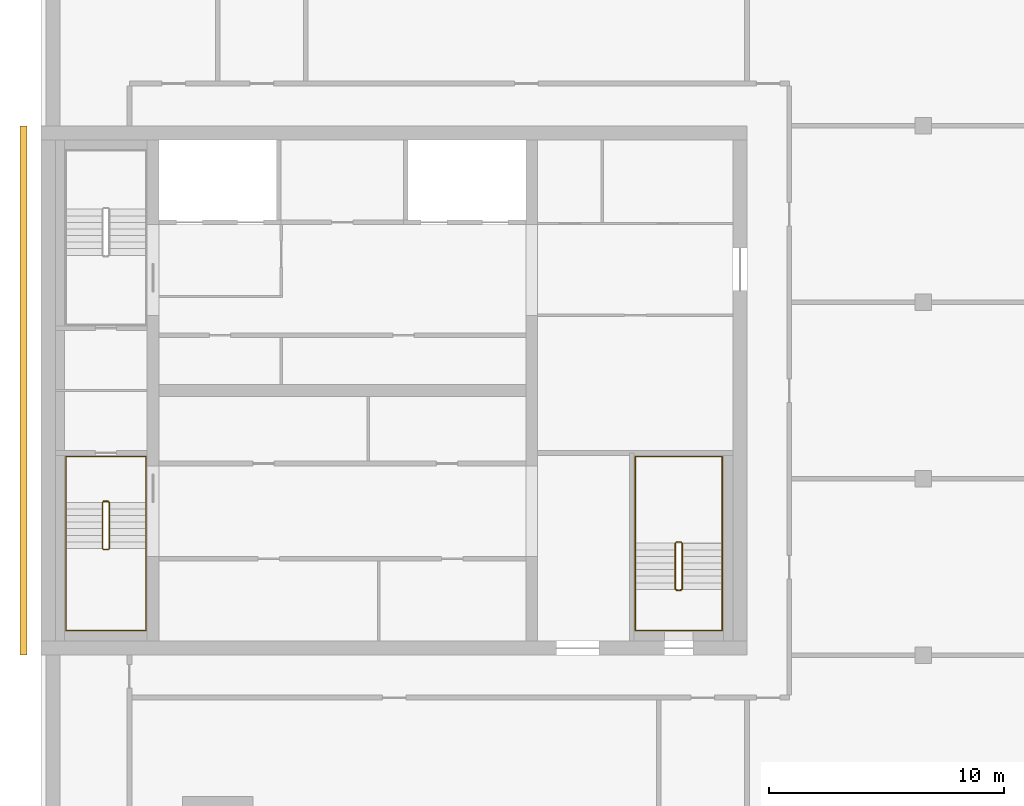
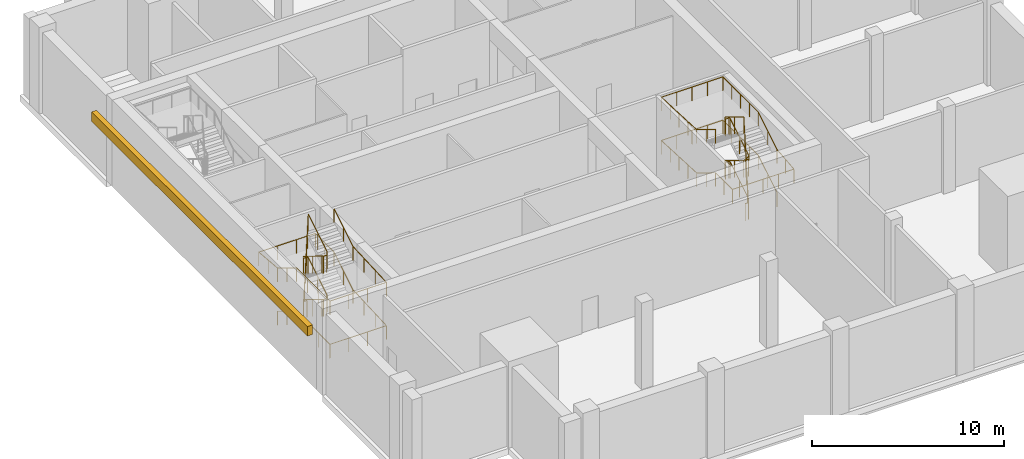
# One storey, part 7 of 8: 4 railings, 1 covering.
"""IFC4 building model written with IfcOpenShell, lengths in metres."""

from ifc_helpers import new_model, si_unit, direction, frame, origin, origin_2d, place, context, subcontext, project, spatial, polyline, circle, outline, extrude, material, layer, layer_set, type_object, element, save


model = new_model("IFC4")

# Units and contexts
model_context = context("Model", 3, precision=1e-05, world=origin(), true_north=direction((0.0, 1.0)))
body_context = subcontext(model_context, "Body", "Model", "MODEL_VIEW")
ifc_project = project(units=[si_unit("LENGTHUNIT", "METRE"), si_unit("AREAUNIT", "SQUARE_METRE"), si_unit("VOLUMEUNIT", "CUBIC_METRE"), si_unit("PLANEANGLEUNIT", "RADIAN"), si_unit("MASSUNIT", "GRAM", prefix="KILO")], contexts=[model_context])

# Site, building, storey
site_placement = place(None, origin())
site = spatial("IfcSite", under=ifc_project, at=site_placement, CompositionType="ELEMENT")
building_placement = place(site_placement, origin())
building = spatial("IfcBuilding", under=site, at=building_placement, Name="Tamorin Gate", CompositionType="ELEMENT")
storey_placement = place(building_placement, frame((0.0, 0.0, 314.699951171875)))
storey = spatial("IfcBuildingStorey", under=building, at=storey_placement, Name="L77", CompositionType="ELEMENT", Elevation=314.699951171875)

# Covering
ifc_material_1 = material(Name="Precast concrete C40/50", Category="concrete")
ifc_layer = layer(ifc_material_1, 0.300048828125)
ifc_layer_set = layer_set([ifc_layer], Name="Spine cornice 300")
covering_type = type_object("IfcCoveringType", Name="Spine cornice 300", PredefinedType="CLADDING", material=ifc_layer_set)
covering_placement = place(storey_placement, frame((0.0, 0.0, 4.10009765625)))
element("IfcCovering", 1, at=covering_placement, inside=storey, type_object=covering_type, Name="Spine cornice", PredefinedType="CLADDING", context=body_context, shape_type="SweptSolid", body=[
    extrude(outline(polyline([(29.10009765625, 60.0), (29.39990234375, 60.0), (29.39990234375, 82.5), (29.10009765625, 82.5), (29.10009765625, 60.0)])), origin(), (0.0, 0.0, 1.0), 0.599853515625),
])

# Railings
ifc_material_2 = material(Name="Painted steel balustrade", Category="steel")
railing_type_1 = type_object("IfcRailingType", Name="Stair guard 1100", PredefinedType="GUARDRAIL", material=ifc_material_2)
railing_1_placement = place(storey_placement, frame((32.60009765625, 66.5, 0.171875)))
element("IfcRailing", 2, at=railing_1_placement, inside=storey, type_object=railing_type_1, Name="L77 ST1 stair guard 1", PredefinedType="GUARDRAIL", context=body_context, shape_type="SweptSolid", body=[
    extrude(circle(Radius=0.02392578125, at=origin_2d()), frame((0.0, 0.0, 1.076171875), z_axis=(0.0, -0.852240978134, 0.523149419562), x_axis=(1.0, 0.0, 0.0)), (0.0, 0.0, 1.0), 2.2998046875),
    extrude(circle(Radius=0.02392578125, at=origin_2d()), frame((0.0, -1.9599609375, 2.279296875), z_axis=(0.705375805398, -0.708833529934, 0.0), x_axis=(0.708833529934, 0.705375805398, 0.0)), (0.0, 0.0, 1.0), 0.070556640625),
    extrude(circle(Radius=0.02392578125, at=origin_2d()), frame((0.0498046875, -2.010009765625, 2.279296875), z_axis=(1.0, 0.0, 0.0), x_axis=(0.0, 1.0, 0.0)), (0.0, 0.0, 1.0), 0.2001953125),
    extrude(circle(Radius=0.02392578125, at=origin_2d()), frame((0.25, -2.010009765625, 2.279296875), z_axis=(0.268036860282, 0.26935076646, 0.924989949209), x_axis=(-0.708833529934, 0.705375805398, 0.0)), (0.0, 0.0, 1.0), 0.185791015625),
    extrude(circle(Radius=0.02392578125, at=origin_2d()), frame((0.2998046875, -1.9599609375, 2.451171875), z_axis=(0.0, 0.852240978134, 0.523149419562), x_axis=(-1.0, 0.0, 0.0)), (0.0, 0.0, 1.0), 2.2998046875),
    extrude(circle(Radius=0.02392578125, at=origin_2d()), frame((0.2998046875, 0.0, 3.654296875), z_axis=(-0.98054382908, 0.196300278283, 0.0), x_axis=(-0.196300278283, -0.98054382908, 0.0)), (0.0, 0.0, 1.0), 0.2548828125),
    extrude(circle(Radius=0.02392578125, at=origin_2d()), frame((0.0498046875, 0.050048828125, 3.654296875), z_axis=(1.0, 0.0, 0.0), x_axis=(0.0, 1.0, 0.0)), (0.0, 0.0, 1.0), 0.2001953125),
    extrude(circle(Radius=0.02392578125, at=origin_2d()), frame((0.25, 0.050048828125, 3.654296875), z_axis=(-0.81305262559, -0.162769324459, 0.558973680093), x_axis=(0.196300278283, -0.98054382908, 0.0)), (0.0, 0.0, 1.0), 0.307373046875),
    extrude(circle(Radius=0.02392578125, at=origin_2d()), frame((0.0, 0.0, 3.826171875), z_axis=(0.0, -0.852240978134, 0.523149419562), x_axis=(1.0, 0.0, 0.0)), (0.0, 0.0, 1.0), 2.2998046875),
    extrude(circle(Radius=0.02392578125, at=origin_2d()), frame((0.0, -1.9599609375, 5.029296875), z_axis=(0.705375805398, -0.708833529934, 0.0), x_axis=(0.708833529934, 0.705375805398, 0.0)), (0.0, 0.0, 1.0), 0.070556640625),
    extrude(circle(Radius=0.02392578125, at=origin_2d()), frame((0.0498046875, -2.010009765625, 5.029296875), z_axis=(1.0, 0.0, 0.0), x_axis=(0.0, 1.0, 0.0)), (0.0, 0.0, 1.0), 0.2001953125),
    extrude(circle(Radius=0.02392578125, at=origin_2d()), frame((0.25, -2.010009765625, 5.029296875), z_axis=(0.268036860282, 0.26935076646, 0.924989949209), x_axis=(-0.708833529934, 0.705375805398, 0.0)), (0.0, 0.0, 1.0), 0.185791015625),
    extrude(circle(Radius=0.02392578125, at=origin_2d()), frame((0.2998046875, -1.9599609375, 5.201171875), z_axis=(0.0, 0.852240978134, 0.523149419562), x_axis=(-1.0, 0.0, 0.0)), (0.0, 0.0, 1.0), 2.2998046875),
    extrude(circle(Radius=0.02392578125, at=origin_2d()), frame((0.2998046875, 0.0, 6.404296875), z_axis=(-0.045405784895, 0.009090025296, -0.998927267692), x_axis=(-0.196300278283, -0.98054382908, 0.0)), (0.0, 0.0, 1.0), 5.505859375),
    extrude(circle(Radius=0.02392578125, at=origin_2d()), frame((0.0498046875, 0.050048828125, 0.904296875), z_axis=(1.0, 0.0, 0.0), x_axis=(0.0, 1.0, 0.0)), (0.0, 0.0, 1.0), 0.2001953125),
    extrude(circle(Radius=0.02099609375, at=origin_2d()), origin(), (0.0, 0.0, 1.0), 1.052001953125),
    extrude(circle(Radius=0.02099609375, at=origin_2d()), frame((0.0, -0.97998046875, 0.6015625)), (0.0, 0.0, 1.0), 1.052001953125),
    extrude(circle(Radius=0.02099609375, at=origin_2d()), frame((0.0, -1.9599609375, 1.203125)), (0.0, 0.0, 1.0), 1.052001953125),
    extrude(circle(Radius=0.02099609375, at=origin_2d()), frame((0.0498046875, -2.010009765625, 1.203125)), (0.0, 0.0, 1.0), 1.052001953125),
    extrude(circle(Radius=0.02099609375, at=origin_2d()), frame((0.25, -2.010009765625, 1.203125)), (0.0, 0.0, 1.0), 1.052001953125),
    extrude(circle(Radius=0.02099609375, at=origin_2d()), frame((0.2998046875, -1.9599609375, 1.375)), (0.0, 0.0, 1.0), 1.052001953125),
    extrude(circle(Radius=0.02099609375, at=origin_2d()), frame((0.2998046875, -0.97998046875, 1.9765625)), (0.0, 0.0, 1.0), 1.052001953125),
    extrude(circle(Radius=0.02099609375, at=origin_2d()), frame((0.2998046875, 0.0, 2.578125)), (0.0, 0.0, 1.0), 1.052001953125),
    extrude(circle(Radius=0.02099609375, at=origin_2d()), frame((0.0498046875, 0.050048828125, 2.578125)), (0.0, 0.0, 1.0), 1.052001953125),
    extrude(circle(Radius=0.02099609375, at=origin_2d()), frame((0.25, 0.050048828125, 2.578125)), (0.0, 0.0, 1.0), 1.052001953125),
    extrude(circle(Radius=0.02099609375, at=origin_2d()), frame((0.0, 0.0, 2.75)), (0.0, 0.0, 1.0), 1.052001953125),
    extrude(circle(Radius=0.02099609375, at=origin_2d()), frame((0.0, -0.97998046875, 3.3515625)), (0.0, 0.0, 1.0), 1.052001953125),
    extrude(circle(Radius=0.02099609375, at=origin_2d()), frame((0.0, -1.9599609375, 3.953125)), (0.0, 0.0, 1.0), 1.052001953125),
    extrude(circle(Radius=0.02099609375, at=origin_2d()), frame((0.0498046875, -2.010009765625, 3.953125)), (0.0, 0.0, 1.0), 1.052001953125),
    extrude(circle(Radius=0.02099609375, at=origin_2d()), frame((0.25, -2.010009765625, 3.953125)), (0.0, 0.0, 1.0), 1.052001953125),
    extrude(circle(Radius=0.02099609375, at=origin_2d()), frame((0.2998046875, -1.9599609375, 4.125)), (0.0, 0.0, 1.0), 1.052001953125),
    extrude(circle(Radius=0.02099609375, at=origin_2d()), frame((0.2998046875, -0.97998046875, 4.7265625)), (0.0, 0.0, 1.0), 1.052001953125),
    extrude(circle(Radius=0.02099609375, at=origin_2d()), frame((0.2998046875, 0.0, 5.328125)), (0.0, 0.0, 1.0), 1.052001953125),
    extrude(circle(Radius=0.02099609375, at=origin_2d()), frame((0.249755859375, 0.010009765625, 4.22802734375)), (0.0, 0.0, 1.0), 1.052001953125),
    extrude(circle(Radius=0.02099609375, at=origin_2d()), frame((0.19970703125, 0.02001953125, 3.128173828125)), (0.0, 0.0, 1.0), 1.052001953125),
    extrude(circle(Radius=0.02099609375, at=origin_2d()), frame((0.14990234375, 0.030029296875, 2.028076171875)), (0.0, 0.0, 1.0), 1.052001953125),
    extrude(circle(Radius=0.02099609375, at=origin_2d()), frame((0.099853515625, 0.0400390625, 0.92822265625)), (0.0, 0.0, 1.0), 1.052001953125),
    extrude(circle(Radius=0.02099609375, at=origin_2d()), frame((0.0498046875, 0.050048828125, -0.171875)), (0.0, 0.0, 1.0), 1.052001953125),
    extrude(circle(Radius=0.02099609375, at=origin_2d()), frame((0.25, 0.050048828125, -0.171875)), (0.0, 0.0, 1.0), 1.052001953125),
])
railing_2_placement = place(storey_placement, frame((57.25, 62.800048828125, 0.171875)))
element("IfcRailing", 3, at=railing_2_placement, inside=storey, type_object=railing_type_1, Name="L77 ST3 stair guard 1", PredefinedType="GUARDRAIL", context=body_context, shape_type="SweptSolid", body=[
    extrude(circle(Radius=0.02392578125, at=origin_2d()), frame((0.0, 0.0, 1.076171875), z_axis=(0.0, 0.852240978134, 0.523149419562), x_axis=(-1.0, 0.0, 0.0)), (0.0, 0.0, 1.0), 2.2998046875),
    extrude(circle(Radius=0.02392578125, at=origin_2d()), frame((0.0, 1.9599609375, 2.279296875), z_axis=(-0.707106781187, 0.707106781187, 0.0), x_axis=(-0.707106781187, -0.707106781187, 0.0)), (0.0, 0.0, 1.0), 0.07080078125),
    extrude(circle(Radius=0.02392578125, at=origin_2d()), frame((-0.050048828125, 2.010009765625, 2.279296875), z_axis=(-1.0, 0.0, 0.0), x_axis=(0.0, -1.0, 0.0)), (0.0, 0.0, 1.0), 0.199951171875),
    extrude(circle(Radius=0.02392578125, at=origin_2d()), frame((-0.25, 2.010009765625, 2.279296875), z_axis=(-0.269255725606, -0.269255725606, 0.92466356501), x_axis=(0.707106781187, -0.707106781187, 0.0)), (0.0, 0.0, 1.0), 0.185791015625),
    extrude(circle(Radius=0.02392578125, at=origin_2d()), frame((-0.300048828125, 1.9599609375, 2.451171875), z_axis=(0.0, -0.852240978134, 0.523149419562), x_axis=(1.0, 0.0, 0.0)), (0.0, 0.0, 1.0), 2.2998046875),
    extrude(circle(Radius=0.02392578125, at=origin_2d()), frame((-0.300048828125, 0.0, 3.654296875), z_axis=(0.98054382908, -0.196300278283, 0.0), x_axis=(0.196300278283, 0.98054382908, 0.0)), (0.0, 0.0, 1.0), 0.2548828125),
    extrude(circle(Radius=0.02392578125, at=origin_2d()), frame((-0.050048828125, -0.050048828125, 3.654296875), z_axis=(-1.0, 0.0, 0.0), x_axis=(0.0, -1.0, 0.0)), (0.0, 0.0, 1.0), 0.199951171875),
    extrude(circle(Radius=0.02392578125, at=origin_2d()), frame((-0.25, -0.050048828125, 3.654296875), z_axis=(0.81305262559, 0.162769324459, 0.558973680093), x_axis=(-0.196300278283, 0.98054382908, 0.0)), (0.0, 0.0, 1.0), 0.307373046875),
    extrude(circle(Radius=0.02392578125, at=origin_2d()), frame((0.0, 0.0, 3.826171875), z_axis=(0.0, 0.852240978134, 0.523149419562), x_axis=(-1.0, 0.0, 0.0)), (0.0, 0.0, 1.0), 2.2998046875),
    extrude(circle(Radius=0.02392578125, at=origin_2d()), frame((0.0, 1.9599609375, 5.029296875), z_axis=(-0.707106781187, 0.707106781187, 0.0), x_axis=(-0.707106781187, -0.707106781187, 0.0)), (0.0, 0.0, 1.0), 0.07080078125),
    extrude(circle(Radius=0.02392578125, at=origin_2d()), frame((-0.050048828125, 2.010009765625, 5.029296875), z_axis=(-1.0, 0.0, 0.0), x_axis=(0.0, -1.0, 0.0)), (0.0, 0.0, 1.0), 0.199951171875),
    extrude(circle(Radius=0.02392578125, at=origin_2d()), frame((-0.25, 2.010009765625, 5.029296875), z_axis=(-0.269255725606, -0.269255725606, 0.92466356501), x_axis=(0.707106781187, -0.707106781187, 0.0)), (0.0, 0.0, 1.0), 0.185791015625),
    extrude(circle(Radius=0.02392578125, at=origin_2d()), frame((-0.300048828125, 1.9599609375, 5.201171875), z_axis=(0.0, -0.852240978134, 0.523149419562), x_axis=(1.0, 0.0, 0.0)), (0.0, 0.0, 1.0), 2.2998046875),
    extrude(circle(Radius=0.02392578125, at=origin_2d()), frame((-0.300048828125, 0.0, 6.404296875), z_axis=(0.045405784895, -0.009090025296, -0.998927267692), x_axis=(0.196300278283, 0.98054382908, 0.0)), (0.0, 0.0, 1.0), 5.505859375),
    extrude(circle(Radius=0.02392578125, at=origin_2d()), frame((-0.050048828125, -0.050048828125, 0.904296875), z_axis=(-1.0, 0.0, 0.0), x_axis=(0.0, -1.0, 0.0)), (0.0, 0.0, 1.0), 0.199951171875),
    extrude(circle(Radius=0.02099609375, at=origin_2d()), origin(), (0.0, 0.0, 1.0), 1.052001953125),
    extrude(circle(Radius=0.02099609375, at=origin_2d()), frame((0.0, 0.97998046875, 0.6015625)), (0.0, 0.0, 1.0), 1.052001953125),
    extrude(circle(Radius=0.02099609375, at=origin_2d()), frame((0.0, 1.9599609375, 1.203125)), (0.0, 0.0, 1.0), 1.052001953125),
    extrude(circle(Radius=0.02099609375, at=origin_2d()), frame((-0.050048828125, 2.010009765625, 1.203125)), (0.0, 0.0, 1.0), 1.052001953125),
    extrude(circle(Radius=0.02099609375, at=origin_2d()), frame((-0.25, 2.010009765625, 1.203125)), (0.0, 0.0, 1.0), 1.052001953125),
    extrude(circle(Radius=0.02099609375, at=origin_2d()), frame((-0.300048828125, 1.9599609375, 1.375)), (0.0, 0.0, 1.0), 1.052001953125),
    extrude(circle(Radius=0.02099609375, at=origin_2d()), frame((-0.300048828125, 0.97998046875, 1.9765625)), (0.0, 0.0, 1.0), 1.052001953125),
    extrude(circle(Radius=0.02099609375, at=origin_2d()), frame((-0.300048828125, 0.0, 2.578125)), (0.0, 0.0, 1.0), 1.052001953125),
    extrude(circle(Radius=0.02099609375, at=origin_2d()), frame((-0.050048828125, -0.050048828125, 2.578125)), (0.0, 0.0, 1.0), 1.052001953125),
    extrude(circle(Radius=0.02099609375, at=origin_2d()), frame((-0.25, -0.050048828125, 2.578125)), (0.0, 0.0, 1.0), 1.052001953125),
    extrude(circle(Radius=0.02099609375, at=origin_2d()), frame((0.0, 0.0, 2.75)), (0.0, 0.0, 1.0), 1.052001953125),
    extrude(circle(Radius=0.02099609375, at=origin_2d()), frame((0.0, 0.97998046875, 3.3515625)), (0.0, 0.0, 1.0), 1.052001953125),
    extrude(circle(Radius=0.02099609375, at=origin_2d()), frame((0.0, 1.9599609375, 3.953125)), (0.0, 0.0, 1.0), 1.052001953125),
    extrude(circle(Radius=0.02099609375, at=origin_2d()), frame((-0.050048828125, 2.010009765625, 3.953125)), (0.0, 0.0, 1.0), 1.052001953125),
    extrude(circle(Radius=0.02099609375, at=origin_2d()), frame((-0.25, 2.010009765625, 3.953125)), (0.0, 0.0, 1.0), 1.052001953125),
    extrude(circle(Radius=0.02099609375, at=origin_2d()), frame((-0.300048828125, 1.9599609375, 4.125)), (0.0, 0.0, 1.0), 1.052001953125),
    extrude(circle(Radius=0.02099609375, at=origin_2d()), frame((-0.300048828125, 0.97998046875, 4.7265625)), (0.0, 0.0, 1.0), 1.052001953125),
    extrude(circle(Radius=0.02099609375, at=origin_2d()), frame((-0.300048828125, 0.0, 5.328125)), (0.0, 0.0, 1.0), 1.052001953125),
    extrude(circle(Radius=0.02099609375, at=origin_2d()), frame((-0.25, -0.010009765625, 4.22802734375)), (0.0, 0.0, 1.0), 1.052001953125),
    extrude(circle(Radius=0.02099609375, at=origin_2d()), frame((-0.199951171875, -0.02001953125, 3.128173828125)), (0.0, 0.0, 1.0), 1.052001953125),
    extrude(circle(Radius=0.02099609375, at=origin_2d()), frame((-0.150146484375, -0.030029296875, 2.028076171875)), (0.0, 0.0, 1.0), 1.052001953125),
    extrude(circle(Radius=0.02099609375, at=origin_2d()), frame((-0.10009765625, -0.0400390625, 0.92822265625)), (0.0, 0.0, 1.0), 1.052001953125),
    extrude(circle(Radius=0.02099609375, at=origin_2d()), frame((-0.050048828125, -0.050048828125, -0.171875)), (0.0, 0.0, 1.0), 1.052001953125),
    extrude(circle(Radius=0.02099609375, at=origin_2d()), frame((-0.25, -0.050048828125, -0.171875)), (0.0, 0.0, 1.0), 1.052001953125),
])
ifc_material_3 = material(Name="Painted steel handrail", Category="steel")
railing_type_2 = type_object("IfcRailingType", Name="Stair handrail 900", PredefinedType="HANDRAIL", material=ifc_material_3)
railing_3_placement = place(storey_placement, frame((31.050048828125, 66.5, 0.171875)))
element("IfcRailing", 4, at=railing_3_placement, inside=storey, type_object=railing_type_2, Name="L77 ST1 stair handrail 1", PredefinedType="HANDRAIL", context=body_context, shape_type="SweptSolid", body=[
    extrude(circle(Radius=0.02392578125, at=origin_2d()), frame((0.0, 0.0, 0.8759765625), z_axis=(0.0, -0.852240978134, 0.523149419562), x_axis=(1.0, 0.0, 0.0)), (0.0, 0.0, 1.0), 2.2998046875),
    extrude(circle(Radius=0.02392578125, at=origin_2d()), frame((0.0, -1.9599609375, 2.0791015625), z_axis=(0.0, -1.0, 0.0), x_axis=(1.0, 0.0, 0.0)), (0.0, 0.0, 1.0), 3.489990234375),
    extrude(circle(Radius=0.02392578125, at=origin_2d()), frame((0.0, -5.449951171875, 2.0791015625), z_axis=(1.0, 0.0, 0.0), x_axis=(0.0, 1.0, 0.0)), (0.0, 0.0, 1.0), 3.39990234375),
    extrude(circle(Radius=0.02392578125, at=origin_2d()), frame((3.39990234375, -5.449951171875, 2.0791015625), z_axis=(0.0, 0.998789519247, 0.049188375065), x_axis=(-1.0, 0.0, 0.0)), (0.0, 0.0, 1.0), 3.494140625),
    extrude(circle(Radius=0.02392578125, at=origin_2d()), frame((3.39990234375, -1.9599609375, 2.2509765625), z_axis=(0.0, 0.852240978134, 0.523149419562), x_axis=(-1.0, 0.0, 0.0)), (0.0, 0.0, 1.0), 2.2998046875),
    extrude(circle(Radius=0.02392578125, at=origin_2d()), frame((3.39990234375, 0.0, 3.4541015625), z_axis=(0.0, 1.0, 0.0), x_axis=(-1.0, 0.0, 0.0)), (0.0, 0.0, 1.0), 1.949951171875),
    extrude(circle(Radius=0.02392578125, at=origin_2d()), frame((3.39990234375, 1.949951171875, 3.4541015625), z_axis=(-1.0, 0.0, 0.0), x_axis=(0.0, -1.0, 0.0)), (0.0, 0.0, 1.0), 3.39990234375),
    extrude(circle(Radius=0.02392578125, at=origin_2d()), frame((0.0, 1.949951171875, 3.4541015625), z_axis=(0.0, -0.996137875047, 0.087802812575), x_axis=(1.0, 0.0, 0.0)), (0.0, 0.0, 1.0), 1.95751953125),
    extrude(circle(Radius=0.02392578125, at=origin_2d()), frame((0.0, 0.0, 3.6259765625), z_axis=(0.0, -0.852240978134, 0.523149419562), x_axis=(1.0, 0.0, 0.0)), (0.0, 0.0, 1.0), 2.2998046875),
    extrude(circle(Radius=0.02392578125, at=origin_2d()), frame((0.0, -1.9599609375, 4.8291015625), z_axis=(0.0, -1.0, 0.0), x_axis=(1.0, 0.0, 0.0)), (0.0, 0.0, 1.0), 3.489990234375),
    extrude(circle(Radius=0.02392578125, at=origin_2d()), frame((0.0, -5.449951171875, 4.8291015625), z_axis=(1.0, 0.0, 0.0), x_axis=(0.0, 1.0, 0.0)), (0.0, 0.0, 1.0), 3.39990234375),
    extrude(circle(Radius=0.02392578125, at=origin_2d()), frame((3.39990234375, -5.449951171875, 4.8291015625), z_axis=(0.0, 0.998789519247, 0.049188375065), x_axis=(-1.0, 0.0, 0.0)), (0.0, 0.0, 1.0), 3.494140625),
    extrude(circle(Radius=0.02392578125, at=origin_2d()), frame((3.39990234375, -1.9599609375, 5.0009765625), z_axis=(0.0, 0.852240978134, 0.523149419562), x_axis=(-1.0, 0.0, 0.0)), (0.0, 0.0, 1.0), 2.2998046875),
    extrude(circle(Radius=0.02099609375, at=origin_2d()), origin(), (0.0, 0.0, 1.0), 0.851806640625),
    extrude(circle(Radius=0.02099609375, at=origin_2d()), frame((0.0, -0.97998046875, 0.6015625)), (0.0, 0.0, 1.0), 0.851806640625),
    extrude(circle(Radius=0.02099609375, at=origin_2d()), frame((0.0, -1.9599609375, 1.203125)), (0.0, 0.0, 1.0), 0.851806640625),
    extrude(circle(Radius=0.02099609375, at=origin_2d()), frame((0.0, -3.123291015625, 1.203125)), (0.0, 0.0, 1.0), 0.851806640625),
    extrude(circle(Radius=0.02099609375, at=origin_2d()), frame((0.0, -4.28662109375, 1.203125)), (0.0, 0.0, 1.0), 0.851806640625),
    extrude(circle(Radius=0.02099609375, at=origin_2d()), frame((0.0, -5.449951171875, 1.203125)), (0.0, 0.0, 1.0), 0.851806640625),
    extrude(circle(Radius=0.02099609375, at=origin_2d()), frame((1.13330078125, -5.449951171875, 1.203125)), (0.0, 0.0, 1.0), 0.851806640625),
    extrude(circle(Radius=0.02099609375, at=origin_2d()), frame((2.2666015625, -5.449951171875, 1.203125)), (0.0, 0.0, 1.0), 0.851806640625),
    extrude(circle(Radius=0.02099609375, at=origin_2d()), frame((3.39990234375, -5.449951171875, 1.203125)), (0.0, 0.0, 1.0), 0.851806640625),
    extrude(circle(Radius=0.02099609375, at=origin_2d()), frame((3.39990234375, -4.28662109375, 1.260498046875)), (0.0, 0.0, 1.0), 0.851806640625),
    extrude(circle(Radius=0.02099609375, at=origin_2d()), frame((3.39990234375, -3.123291015625, 1.317626953125)), (0.0, 0.0, 1.0), 0.851806640625),
    extrude(circle(Radius=0.02099609375, at=origin_2d()), frame((3.39990234375, -1.9599609375, 1.375)), (0.0, 0.0, 1.0), 0.851806640625),
    extrude(circle(Radius=0.02099609375, at=origin_2d()), frame((3.39990234375, -0.97998046875, 1.9765625)), (0.0, 0.0, 1.0), 0.851806640625),
    extrude(circle(Radius=0.02099609375, at=origin_2d()), frame((3.39990234375, 0.0, 2.578125)), (0.0, 0.0, 1.0), 0.851806640625),
    extrude(circle(Radius=0.02099609375, at=origin_2d()), frame((3.39990234375, 0.97509765625, 2.578125)), (0.0, 0.0, 1.0), 0.851806640625),
    extrude(circle(Radius=0.02099609375, at=origin_2d()), frame((3.39990234375, 1.949951171875, 2.578125)), (0.0, 0.0, 1.0), 0.851806640625),
    extrude(circle(Radius=0.02099609375, at=origin_2d()), frame((2.2666015625, 1.949951171875, 2.578125)), (0.0, 0.0, 1.0), 0.851806640625),
    extrude(circle(Radius=0.02099609375, at=origin_2d()), frame((1.13330078125, 1.949951171875, 2.578125)), (0.0, 0.0, 1.0), 0.851806640625),
    extrude(circle(Radius=0.02099609375, at=origin_2d()), frame((0.0, 1.949951171875, 2.578125)), (0.0, 0.0, 1.0), 0.851806640625),
    extrude(circle(Radius=0.02099609375, at=origin_2d()), frame((0.0, 0.97509765625, 2.6640625)), (0.0, 0.0, 1.0), 0.851806640625),
    extrude(circle(Radius=0.02099609375, at=origin_2d()), frame((0.0, 0.0, 2.75)), (0.0, 0.0, 1.0), 0.851806640625),
    extrude(circle(Radius=0.02099609375, at=origin_2d()), frame((0.0, -0.97998046875, 3.3515625)), (0.0, 0.0, 1.0), 0.851806640625),
    extrude(circle(Radius=0.02099609375, at=origin_2d()), frame((0.0, -1.9599609375, 3.953125)), (0.0, 0.0, 1.0), 0.851806640625),
    extrude(circle(Radius=0.02099609375, at=origin_2d()), frame((0.0, -3.123291015625, 3.953125)), (0.0, 0.0, 1.0), 0.851806640625),
    extrude(circle(Radius=0.02099609375, at=origin_2d()), frame((0.0, -4.28662109375, 3.953125)), (0.0, 0.0, 1.0), 0.851806640625),
    extrude(circle(Radius=0.02099609375, at=origin_2d()), frame((0.0, -5.449951171875, 3.953125)), (0.0, 0.0, 1.0), 0.851806640625),
    extrude(circle(Radius=0.02099609375, at=origin_2d()), frame((1.13330078125, -5.449951171875, 3.953125)), (0.0, 0.0, 1.0), 0.851806640625),
    extrude(circle(Radius=0.02099609375, at=origin_2d()), frame((2.2666015625, -5.449951171875, 3.953125)), (0.0, 0.0, 1.0), 0.851806640625),
    extrude(circle(Radius=0.02099609375, at=origin_2d()), frame((3.39990234375, -5.449951171875, 3.953125)), (0.0, 0.0, 1.0), 0.851806640625),
    extrude(circle(Radius=0.02099609375, at=origin_2d()), frame((3.39990234375, -4.28662109375, 4.010498046875)), (0.0, 0.0, 1.0), 0.851806640625),
    extrude(circle(Radius=0.02099609375, at=origin_2d()), frame((3.39990234375, -3.123291015625, 4.067626953125)), (0.0, 0.0, 1.0), 0.851806640625),
    extrude(circle(Radius=0.02099609375, at=origin_2d()), frame((3.39990234375, -1.9599609375, 4.125)), (0.0, 0.0, 1.0), 0.851806640625),
    extrude(circle(Radius=0.02099609375, at=origin_2d()), frame((3.39990234375, -0.97998046875, 4.7265625)), (0.0, 0.0, 1.0), 0.851806640625),
    extrude(circle(Radius=0.02099609375, at=origin_2d()), frame((3.39990234375, 0.0, 5.328125)), (0.0, 0.0, 1.0), 0.851806640625),
])
railing_4_placement = place(storey_placement, frame((58.949951171875, 62.800048828125, 0.171875)))
element("IfcRailing", 5, at=railing_4_placement, inside=storey, type_object=railing_type_2, Name="L77 ST3 stair handrail 1", PredefinedType="HANDRAIL", context=body_context, shape_type="SweptSolid", body=[
    extrude(circle(Radius=0.02392578125, at=origin_2d()), frame((0.0, 0.0, 0.8759765625), z_axis=(0.0, 0.852240978134, 0.523149419562), x_axis=(-1.0, 0.0, 0.0)), (0.0, 0.0, 1.0), 2.2998046875),
    extrude(circle(Radius=0.02392578125, at=origin_2d()), frame((0.0, 1.9599609375, 2.0791015625), z_axis=(0.0, 1.0, 0.0), x_axis=(-1.0, 0.0, 0.0)), (0.0, 0.0, 1.0), 3.68994140625),
    extrude(circle(Radius=0.02392578125, at=origin_2d()), frame((0.0, 5.64990234375, 2.0791015625), z_axis=(-1.0, 0.0, 0.0), x_axis=(0.0, -1.0, 0.0)), (0.0, 0.0, 1.0), 3.699951171875),
    extrude(circle(Radius=0.02392578125, at=origin_2d()), frame((-3.699951171875, 5.64990234375, 2.0791015625), z_axis=(0.0, -0.998916945045, 0.046528882448), x_axis=(1.0, 0.0, 0.0)), (0.0, 0.0, 1.0), 3.69384765625),
    extrude(circle(Radius=0.02392578125, at=origin_2d()), frame((-3.699951171875, 1.9599609375, 2.2509765625), z_axis=(0.0, -0.852240978134, 0.523149419562), x_axis=(1.0, 0.0, 0.0)), (0.0, 0.0, 1.0), 2.2998046875),
    extrude(circle(Radius=0.02392578125, at=origin_2d()), frame((-3.699951171875, 0.0, 3.4541015625), z_axis=(0.0, -1.0, 0.0), x_axis=(1.0, 0.0, 0.0)), (0.0, 0.0, 1.0), 1.75),
    extrude(circle(Radius=0.02392578125, at=origin_2d()), frame((-3.699951171875, -1.75, 3.4541015625), z_axis=(1.0, 0.0, 0.0), x_axis=(0.0, 1.0, 0.0)), (0.0, 0.0, 1.0), 3.699951171875),
    extrude(circle(Radius=0.02392578125, at=origin_2d()), frame((0.0, -1.75, 3.4541015625), z_axis=(0.0, 0.995211591236, 0.097743995568), x_axis=(-1.0, 0.0, 0.0)), (0.0, 0.0, 1.0), 1.75830078125),
    extrude(circle(Radius=0.02392578125, at=origin_2d()), frame((0.0, 0.0, 3.6259765625), z_axis=(0.0, 0.852240978134, 0.523149419562), x_axis=(-1.0, 0.0, 0.0)), (0.0, 0.0, 1.0), 2.2998046875),
    extrude(circle(Radius=0.02392578125, at=origin_2d()), frame((0.0, 1.9599609375, 4.8291015625), z_axis=(0.0, 1.0, 0.0), x_axis=(-1.0, 0.0, 0.0)), (0.0, 0.0, 1.0), 3.68994140625),
    extrude(circle(Radius=0.02392578125, at=origin_2d()), frame((0.0, 5.64990234375, 4.8291015625), z_axis=(-1.0, 0.0, 0.0), x_axis=(0.0, -1.0, 0.0)), (0.0, 0.0, 1.0), 3.699951171875),
    extrude(circle(Radius=0.02392578125, at=origin_2d()), frame((-3.699951171875, 5.64990234375, 4.8291015625), z_axis=(0.0, -0.998916945045, 0.046528882448), x_axis=(1.0, 0.0, 0.0)), (0.0, 0.0, 1.0), 3.69384765625),
    extrude(circle(Radius=0.02392578125, at=origin_2d()), frame((-3.699951171875, 1.9599609375, 5.0009765625), z_axis=(0.0, -0.852240978134, 0.523149419562), x_axis=(1.0, 0.0, 0.0)), (0.0, 0.0, 1.0), 2.2998046875),
    extrude(circle(Radius=0.02099609375, at=origin_2d()), origin(), (0.0, 0.0, 1.0), 0.851806640625),
    extrude(circle(Radius=0.02099609375, at=origin_2d()), frame((0.0, 0.97998046875, 0.6015625)), (0.0, 0.0, 1.0), 0.851806640625),
    extrude(circle(Radius=0.02099609375, at=origin_2d()), frame((0.0, 1.9599609375, 1.203125)), (0.0, 0.0, 1.0), 0.851806640625),
    extrude(circle(Radius=0.02099609375, at=origin_2d()), frame((0.0, 2.88232421875, 1.203125)), (0.0, 0.0, 1.0), 0.851806640625),
    extrude(circle(Radius=0.02099609375, at=origin_2d()), frame((0.0, 3.804931640625, 1.203125)), (0.0, 0.0, 1.0), 0.851806640625),
    extrude(circle(Radius=0.02099609375, at=origin_2d()), frame((0.0, 4.7275390625, 1.203125)), (0.0, 0.0, 1.0), 0.851806640625),
    extrude(circle(Radius=0.02099609375, at=origin_2d()), frame((0.0, 5.64990234375, 1.203125)), (0.0, 0.0, 1.0), 0.851806640625),
    extrude(circle(Radius=0.02099609375, at=origin_2d()), frame((-0.925048828125, 5.64990234375, 1.203125)), (0.0, 0.0, 1.0), 0.851806640625),
    extrude(circle(Radius=0.02099609375, at=origin_2d()), frame((-1.85009765625, 5.64990234375, 1.203125)), (0.0, 0.0, 1.0), 0.851806640625),
    extrude(circle(Radius=0.02099609375, at=origin_2d()), frame((-2.77490234375, 5.64990234375, 1.203125)), (0.0, 0.0, 1.0), 0.851806640625),
    extrude(circle(Radius=0.02099609375, at=origin_2d()), frame((-3.699951171875, 5.64990234375, 1.203125)), (0.0, 0.0, 1.0), 0.851806640625),
    extrude(circle(Radius=0.02099609375, at=origin_2d()), frame((-3.699951171875, 4.7275390625, 1.24609375)), (0.0, 0.0, 1.0), 0.851806640625),
    extrude(circle(Radius=0.02099609375, at=origin_2d()), frame((-3.699951171875, 3.804931640625, 1.2890625)), (0.0, 0.0, 1.0), 0.851806640625),
    extrude(circle(Radius=0.02099609375, at=origin_2d()), frame((-3.699951171875, 2.88232421875, 1.33203125)), (0.0, 0.0, 1.0), 0.851806640625),
    extrude(circle(Radius=0.02099609375, at=origin_2d()), frame((-3.699951171875, 1.9599609375, 1.375)), (0.0, 0.0, 1.0), 0.851806640625),
    extrude(circle(Radius=0.02099609375, at=origin_2d()), frame((-3.699951171875, 0.97998046875, 1.9765625)), (0.0, 0.0, 1.0), 0.851806640625),
    extrude(circle(Radius=0.02099609375, at=origin_2d()), frame((-3.699951171875, 0.0, 2.578125)), (0.0, 0.0, 1.0), 0.851806640625),
    extrude(circle(Radius=0.02099609375, at=origin_2d()), frame((-3.699951171875, -0.875, 2.578125)), (0.0, 0.0, 1.0), 0.851806640625),
    extrude(circle(Radius=0.02099609375, at=origin_2d()), frame((-3.699951171875, -1.75, 2.578125)), (0.0, 0.0, 1.0), 0.851806640625),
    extrude(circle(Radius=0.02099609375, at=origin_2d()), frame((-2.77490234375, -1.75, 2.578125)), (0.0, 0.0, 1.0), 0.851806640625),
    extrude(circle(Radius=0.02099609375, at=origin_2d()), frame((-1.85009765625, -1.75, 2.578125)), (0.0, 0.0, 1.0), 0.851806640625),
    extrude(circle(Radius=0.02099609375, at=origin_2d()), frame((-0.925048828125, -1.75, 2.578125)), (0.0, 0.0, 1.0), 0.851806640625),
    extrude(circle(Radius=0.02099609375, at=origin_2d()), frame((0.0, -1.75, 2.578125)), (0.0, 0.0, 1.0), 0.851806640625),
    extrude(circle(Radius=0.02099609375, at=origin_2d()), frame((0.0, -0.875, 2.6640625)), (0.0, 0.0, 1.0), 0.851806640625),
    extrude(circle(Radius=0.02099609375, at=origin_2d()), frame((0.0, 0.0, 2.75)), (0.0, 0.0, 1.0), 0.851806640625),
    extrude(circle(Radius=0.02099609375, at=origin_2d()), frame((0.0, 0.97998046875, 3.3515625)), (0.0, 0.0, 1.0), 0.851806640625),
    extrude(circle(Radius=0.02099609375, at=origin_2d()), frame((0.0, 1.9599609375, 3.953125)), (0.0, 0.0, 1.0), 0.851806640625),
    extrude(circle(Radius=0.02099609375, at=origin_2d()), frame((0.0, 2.88232421875, 3.953125)), (0.0, 0.0, 1.0), 0.851806640625),
    extrude(circle(Radius=0.02099609375, at=origin_2d()), frame((0.0, 3.804931640625, 3.953125)), (0.0, 0.0, 1.0), 0.851806640625),
    extrude(circle(Radius=0.02099609375, at=origin_2d()), frame((0.0, 4.7275390625, 3.953125)), (0.0, 0.0, 1.0), 0.851806640625),
    extrude(circle(Radius=0.02099609375, at=origin_2d()), frame((0.0, 5.64990234375, 3.953125)), (0.0, 0.0, 1.0), 0.851806640625),
    extrude(circle(Radius=0.02099609375, at=origin_2d()), frame((-0.925048828125, 5.64990234375, 3.953125)), (0.0, 0.0, 1.0), 0.851806640625),
    extrude(circle(Radius=0.02099609375, at=origin_2d()), frame((-1.85009765625, 5.64990234375, 3.953125)), (0.0, 0.0, 1.0), 0.851806640625),
    extrude(circle(Radius=0.02099609375, at=origin_2d()), frame((-2.77490234375, 5.64990234375, 3.953125)), (0.0, 0.0, 1.0), 0.851806640625),
    extrude(circle(Radius=0.02099609375, at=origin_2d()), frame((-3.699951171875, 5.64990234375, 3.953125)), (0.0, 0.0, 1.0), 0.851806640625),
    extrude(circle(Radius=0.02099609375, at=origin_2d()), frame((-3.699951171875, 4.7275390625, 3.99609375)), (0.0, 0.0, 1.0), 0.851806640625),
    extrude(circle(Radius=0.02099609375, at=origin_2d()), frame((-3.699951171875, 3.804931640625, 4.0390625)), (0.0, 0.0, 1.0), 0.851806640625),
    extrude(circle(Radius=0.02099609375, at=origin_2d()), frame((-3.699951171875, 2.88232421875, 4.08203125)), (0.0, 0.0, 1.0), 0.851806640625),
    extrude(circle(Radius=0.02099609375, at=origin_2d()), frame((-3.699951171875, 1.9599609375, 4.125)), (0.0, 0.0, 1.0), 0.851806640625),
    extrude(circle(Radius=0.02099609375, at=origin_2d()), frame((-3.699951171875, 0.97998046875, 4.7265625)), (0.0, 0.0, 1.0), 0.851806640625),
    extrude(circle(Radius=0.02099609375, at=origin_2d()), frame((-3.699951171875, 0.0, 5.328125)), (0.0, 0.0, 1.0), 0.851806640625),
])

save(model, "model.ifc")
